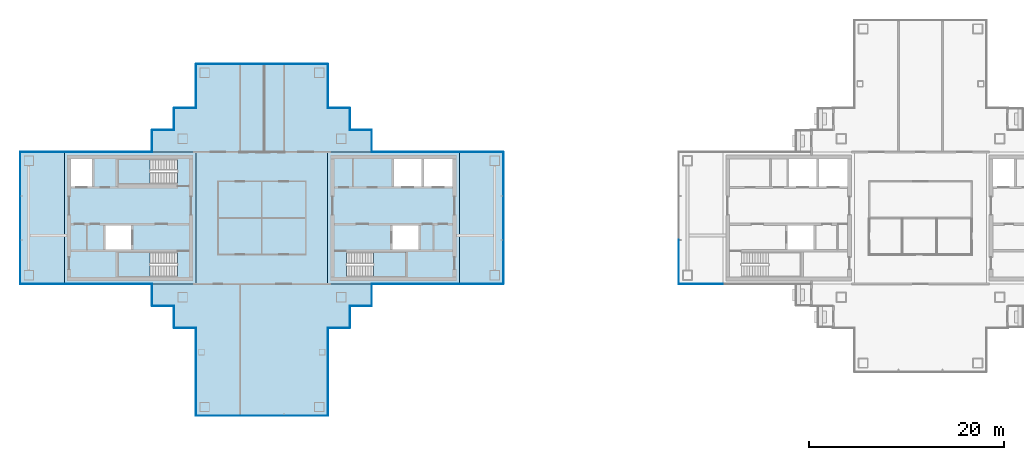
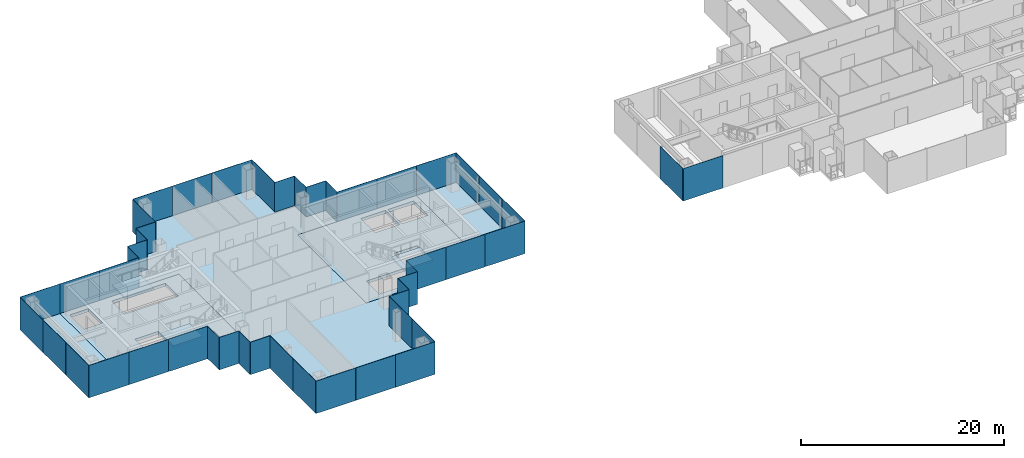
# One storey, part 7 of 16: 48 plates, 8 slabs, 25 elements without a shape of their own.
"""IFC4 building model written with IfcOpenShell, lengths in metres."""

import ifcopenshell
import ifcopenshell.guid

model = None  # the IFC model being written
_history = None  # IfcOwnerHistory: only IFC2X3 demands one
_inside = {}  # id of a spatial element -> (the spatial element, [elements in it])
_under = {}  # id of a project, library or spatial element -> (it, [spatial elements below it])
_declared = {}  # id of a project -> (the project, [libraries it declares])
_typed = {}  # id of a type object -> (the type object, [elements of that type])
_made_of = {}  # id of a material, layer set ... -> (it, [elements and type objects made of it])


def new_model(schema):
    """Start an empty IFC model of exactly this schema.

    Asked for "IFC4X3", IfcOpenShell would pick the latest addendum, in which some entities
    have other attributes; the version numbers below select the first issue.
    IFC2X3 requires an IfcOwnerHistory on every rooted entity: one is made here for all.
    """
    global model, _history
    if schema == "IFC4X3":
        model = ifcopenshell.file(schema_version=(4, 3, 0, 0))
    else:
        model = ifcopenshell.file(schema=schema)
    _inside.clear()
    _under.clear()
    _declared.clear()
    _typed.clear()
    _made_of.clear()
    _history = None
    if model.schema == "IFC2X3":
        org = make("IfcOrganization", Name="unknown")
        user = make(
            "IfcPersonAndOrganization",
            ThePerson=make("IfcPerson", FamilyName="unknown"),
            TheOrganization=org,
        )
        app = make(
            "IfcApplication",
            ApplicationDeveloper=org,
            Version="unknown",
            ApplicationFullName="unknown",
            ApplicationIdentifier="unknown",
        )
        _history = make(
            "IfcOwnerHistory",
            OwningUser=user,
            OwningApplication=app,
            ChangeAction="ADDED",
            CreationDate=0,
        )
    return model


def make(cls, **values):
    """One entity of the class cls with the attributes given. An attribute that is None is left unset."""
    return model.create_entity(
        cls, **{name: value for name, value in values.items() if value is not None}
    )


def rooted(cls, **values):
    """An entity with a GlobalId (a new one), such as an element, a storey or a relation."""
    return make(cls, GlobalId=ifcopenshell.guid.new(), OwnerHistory=_history, **values)


def si_unit(unit_type, name, prefix=None):
    """IfcSIUnit, for example si_unit("LENGTHUNIT", "METRE", prefix="MILLI")."""
    return make("IfcSIUnit", UnitType=unit_type, Prefix=prefix, Name=name)


def assignment(units):
    """IfcUnitAssignment: the units of a project."""
    return None if units is None else make("IfcUnitAssignment", Units=units)


def point(xyz):
    """IfcCartesianPoint."""
    return None if xyz is None else make("IfcCartesianPoint", Coordinates=xyz)


def direction(xyz):
    """IfcDirection."""
    return None if xyz is None else make("IfcDirection", DirectionRatios=xyz)


def frame(location, z_axis=None, x_axis=None):
    """IfcAxis2Placement3D, a coordinate frame: its origin and axes. An axis left out is left unset."""
    return make(
        "IfcAxis2Placement3D",
        Location=point(location),
        Axis=direction(z_axis),
        RefDirection=direction(x_axis),
    )


def frame_2d(location, x_axis=None):
    """IfcAxis2Placement2D, a coordinate frame in the plane: its origin and x axis."""
    return make(
        "IfcAxis2Placement2D", Location=point(location), RefDirection=direction(x_axis)
    )


def origin():
    """The frame at (0, 0, 0) with its axes left unset."""
    return frame((0.0, 0.0, 0.0))


def origin_2d():
    """The frame at (0, 0) in the plane with its x axis left unset."""
    return frame_2d((0.0, 0.0))


def place(relative_to, where):
    """IfcLocalPlacement: puts the frame where relative to a parent placement (None: the world)."""
    return make(
        "IfcLocalPlacement", PlacementRelTo=relative_to, RelativePlacement=where
    )


def context(
    kind, dimensions, precision=None, world=None, true_north=None, identifier=None
):
    """IfcGeometricRepresentationContext, for example the 3D "Model" context."""
    return make(
        "IfcGeometricRepresentationContext",
        ContextIdentifier=identifier,
        ContextType=kind,
        CoordinateSpaceDimension=dimensions,
        Precision=precision,
        WorldCoordinateSystem=world,
        TrueNorth=true_north,
    )


def subcontext(parent, identifier, kind, view, scale=None):
    """IfcGeometricRepresentationSubContext, for example "Body" below "Model"."""
    return make(
        "IfcGeometricRepresentationSubContext",
        ContextIdentifier=identifier,
        ContextType=kind,
        ParentContext=parent,
        TargetScale=scale,
        TargetView=view,
    )


def project(units=None, contexts=None):
    """IfcProject with its units and contexts."""
    return rooted(
        "IfcProject",
        Name="project",
        RepresentationContexts=contexts,
        UnitsInContext=assignment(units),
    )


def spatial(cls, under=None, at=None, **own):
    """A site, building, storey or space (cls), placed at a placement, below another one or the project."""
    s = rooted(cls, ObjectPlacement=at, **own)
    if under is not None:
        _under.setdefault(under.id(), (under, []))[1].append(s)
    return s


def polyline(points):
    """IfcPolyline through the points."""
    return make("IfcPolyline", Points=[point(p) for p in points])


def profile(cls, at=None, kind="AREA", **sizes):
    """A parametric profile (cls). Its sizes go by their IFC names, for example OverallWidth=200.0."""
    return make(cls, ProfileType=kind, Position=at, **sizes)


def rectangle(**sizes):
    """IfcRectangleProfileDef."""
    return profile("IfcRectangleProfileDef", **sizes)


def outline(outer, holes=None, kind="AREA"):
    """IfcArbitraryClosedProfileDef: a profile drawn as a closed curve; with holes, ...WithVoids."""
    if holes is None:
        return make("IfcArbitraryClosedProfileDef", ProfileType=kind, OuterCurve=outer)
    return make(
        "IfcArbitraryProfileDefWithVoids",
        ProfileType=kind,
        OuterCurve=outer,
        InnerCurves=holes,
    )


def extrude(swept, where, along, depth):
    """IfcExtrudedAreaSolid: the profile swept, set in the frame where, extruded along a direction by depth."""
    return make(
        "IfcExtrudedAreaSolid",
        SweptArea=swept,
        Position=where,
        ExtrudedDirection=direction(along),
        Depth=depth,
    )


def shape(context_of_items, identifier, shape_type, items):
    """IfcShapeRepresentation: the items that make up one representation, for example the "Body"."""
    return make(
        "IfcShapeRepresentation",
        ContextOfItems=context_of_items,
        RepresentationIdentifier=identifier,
        RepresentationType=shape_type,
        Items=items,
    )


def material(Name=None, Category=None):
    """IfcMaterial."""
    return make("IfcMaterial", Name=Name, Category=Category)


def layer(
    of_material, thickness, ventilated=None, Name=None, Category=None, Priority=None
):
    """IfcMaterialLayer: one layer of a wall or slab, of a material (None: an air gap)."""
    return make(
        "IfcMaterialLayer",
        Material=of_material,
        LayerThickness=thickness,
        IsVentilated=ventilated,
        Name=Name,
        Category=Category,
        Priority=Priority,
    )


def layer_set(layers, Name=None):
    """IfcMaterialLayerSet."""
    return make("IfcMaterialLayerSet", MaterialLayers=layers, LayerSetName=Name)


def made_of(thing, what):
    """Note that an element or type object is made of a material, layer set ...; save() writes the relation."""
    if what is not None:
        _made_of.setdefault(what.id(), (what, []))[1].append(thing)
    return thing


def type_object(cls, material=None, **own):
    """A type object (cls), such as IfcWallType, which elements share."""
    return made_of(rooted(cls, **own), material)


def element(
    cls,
    number,
    at=None,
    inside=None,
    cuts=None,
    type_object=None,
    material=None,
    context=None,
    identifier="Body",
    shape_type=None,
    held_by="IfcProductDefinitionShape",
    body=None,
    shapes=None,
    **own,
):
    """One element of the class cls, such as IfcWall. Its Tag is "e" and its number.

    at: its placement. inside: the storey or other place that contains it. cuts: it is an
    opening in that element (IfcRelVoidsElement). A single representation is given by context,
    identifier, shape_type and body (its items); several are given by shapes. held_by: the class
    of the entity that holds the representations. save() writes the other relations.
    """
    e = rooted(cls, Tag="e%d" % number, ObjectPlacement=at, **own)
    if body is not None:
        shapes = [shape(context, identifier, shape_type, body)]
    if shapes is not None:
        e.Representation = make(held_by, Representations=shapes)
    if inside is not None:
        _inside.setdefault(inside.id(), (inside, []))[1].append(e)
    if cuts is not None:
        rooted(
            "IfcRelVoidsElement", RelatingBuildingElement=cuts, RelatedOpeningElement=e
        )
    if type_object is not None:
        _typed.setdefault(type_object.id(), (type_object, []))[1].append(e)
    return made_of(e, material)


def aggregate(whole, parts):
    """IfcRelAggregates: a whole, such as a stair, and the parts it consists of."""
    return rooted("IfcRelAggregates", RelatingObject=whole, RelatedObjects=parts)


def save(model, path):
    """Write the relations noted so far, then the file.

    IfcRelAggregates (storeys below a building ...), IfcRelContainedInSpatialStructure (elements
    in a storey), IfcRelDefinesByType, IfcRelAssociatesMaterial and IfcRelDeclares: one each for
    every whole, place, type object, material and project.
    """
    for whole, parts in _under.values():
        aggregate(whole, parts)
    for where, things in _inside.values():
        rooted(
            "IfcRelContainedInSpatialStructure",
            RelatedElements=things,
            RelatingStructure=where,
        )
    for kind, things in _typed.values():
        rooted("IfcRelDefinesByType", RelatedObjects=things, RelatingType=kind)
    for what, things in _made_of.values():
        rooted("IfcRelAssociatesMaterial", RelatedObjects=things, RelatingMaterial=what)
    for by, libraries in _declared.values():
        rooted("IfcRelDeclares", RelatingContext=by, RelatedDefinitions=libraries)
    model.write(path)


model = new_model("IFC4")

# Units and contexts
model_context = context("Model", 3, precision=1e-05, world=origin(), true_north=direction((0.0, 1.0)))
body_context = subcontext(model_context, "Body", "Model", "MODEL_VIEW")
ifc_project = project(units=[si_unit("LENGTHUNIT", "METRE"), si_unit("AREAUNIT", "SQUARE_METRE"), si_unit("VOLUMEUNIT", "CUBIC_METRE"), si_unit("PLANEANGLEUNIT", "RADIAN"), si_unit("MASSUNIT", "GRAM", prefix="KILO")], contexts=[model_context])

# Site, building, storey
site_placement = place(None, origin())
site = spatial("IfcSite", under=ifc_project, at=site_placement, CompositionType="ELEMENT")
building_placement = place(site_placement, origin())
building = spatial("IfcBuilding", under=site, at=building_placement, Name="Shamsa Quay Exchange Towers", CompositionType="ELEMENT")
storey_placement = place(building_placement, frame((0.0, 0.0, 190.5)))
storey = spatial("IfcBuildingStorey", under=building, at=storey_placement, Name="L45", CompositionType="ELEMENT", Elevation=190.5)

# Slabs
ifc_material_1 = material(Name="Concrete C50/60", Category="concrete")
ifc_layer_1 = layer(ifc_material_1, 0.35009765625)
ifc_layer_set_1 = layer_set([ifc_layer_1], Name="CORE FLOOR 350 C50/60")
slab_type_1 = type_object("IfcSlabType", Name="CORE FLOOR 350 C50/60", PredefinedType="FLOOR", material=ifc_layer_set_1)
slab_1_placement = place(storey_placement, frame((0.0, 0.0, -0.35009765625)))
element("IfcSlab", 1, at=slab_1_placement, inside=storey, type_object=slab_type_1, Name="Core floor T1A", PredefinedType="FLOOR", context=body_context, shape_type="SweptSolid", body=[
    extrude(outline(polyline([(-27.0, -6.75), (-13.5, -6.75), (-13.5, 6.75), (-27.0, 6.75), (-27.0, -6.75)]), holes=[polyline([(-25.099365234375, -6.050048828125), (-25.099365234375, -3.5), (-19.0, -3.5), (-19.0, -6.050048828125), (-25.099365234375, -6.050048828125)]), polyline([(-20.199951171875, 3.25), (-20.199951171875, 6.050048828125), (-17.39990234375, 6.050048828125), (-17.39990234375, 3.25), (-20.199951171875, 3.25)]), polyline([(-17.14990234375, 3.25), (-17.14990234375, 6.050048828125), (-14.199951171875, 6.050048828125), (-14.199951171875, 3.25), (-17.14990234375, 3.25)]), polyline([(-20.35009765625, -3.25), (-20.35009765625, -0.75), (-17.699951171875, -0.75), (-17.699951171875, -3.25), (-20.35009765625, -3.25)])]), origin(), (0.0, 0.0, 1.0), 0.35009765625),
])
slab_2_placement = place(storey_placement, frame((0.0, 0.0, -0.35009765625)))
element("IfcSlab", 2, at=slab_2_placement, inside=storey, type_object=slab_type_1, Name="Core floor T1B", PredefinedType="FLOOR", context=body_context, shape_type="SweptSolid", body=[
    extrude(outline(polyline([(-40.5, -6.75), (-40.5, 6.75), (-54.0, 6.75), (-54.0, -6.75), (-40.5, -6.75)]), holes=[polyline([(-42.400634765625, -3.5), (-42.400634765625, -6.050048828125), (-48.5, -6.050048828125), (-48.5, -3.5), (-42.400634765625, -3.5)]), polyline([(-42.400634765625, 6.050048828125), (-42.400634765625, 3.5), (-48.5, 3.5), (-48.5, 6.050048828125), (-42.400634765625, 6.050048828125)]), polyline([(-51.14990234375, 3.25), (-53.300048828125, 3.25), (-53.300048828125, 6.050048828125), (-51.14990234375, 6.050048828125), (-51.14990234375, 3.25)]), polyline([(-47.14990234375, -3.25), (-49.800048828125, -3.25), (-49.800048828125, -0.75), (-47.14990234375, -0.75), (-47.14990234375, -3.25)])]), origin(), (0.0, 0.0, 1.0), 0.35009765625),
])

# Stair, slab
ifc_material_2 = material(Name="Concrete C40/50", Category="concrete")
stair_type = type_object("IfcStairType", Name="EXIT STAIR 22 RISERS 177 MM", PredefinedType="HALF_TURN_STAIR", material=ifc_material_2)
stair_1_placement = place(storey_placement, origin())
stair_1 = element("IfcStair", 3, at=stair_1_placement, inside=storey, type_object=stair_type, Name="L45 Exit stair ST1", PredefinedType="HALF_TURN_STAIR")
ifc_layer_2 = layer(ifc_material_2, 0.199951171875)
ifc_layer_set_2 = layer_set([ifc_layer_2], Name="CORE STAIR LANDING")
slab_type_2 = type_object("IfcSlabType", Name="CORE STAIR LANDING", PredefinedType="LANDING", material=ifc_layer_set_2)
slab_3_placement = place(storey_placement, frame((0.0, 0.0, 1.75)))
slab_3 = element("IfcSlab", 4, at=slab_3_placement, type_object=slab_type_2, Name="ST1 landing 1", PredefinedType="LANDING", context=body_context, shape_type="SweptSolid", body=[
    extrude(outline(polyline([(-22.300048828125, -6.050048828125), (-19.0, -6.050048828125), (-19.0, -3.5), (-22.300048828125, -3.5), (-22.300048828125, -6.050048828125)])), origin(), (0.0, 0.0, 1.0), 0.199951171875),
])
aggregate(stair_1, [slab_3])

stair_2_placement = place(storey_placement, origin())
stair_2 = element("IfcStair", 5, at=stair_2_placement, inside=storey, type_object=stair_type, Name="L45 Exit stair ST2", PredefinedType="HALF_TURN_STAIR")
slab_4_placement = place(storey_placement, frame((0.0, 0.0, 1.75)))
slab_4 = element("IfcSlab", 6, at=slab_4_placement, type_object=slab_type_2, Name="ST2 landing 1", PredefinedType="LANDING", context=body_context, shape_type="SweptSolid", body=[
    extrude(outline(polyline([(-45.199951171875, -3.5), (-48.5, -3.5), (-48.5, -6.050048828125), (-45.199951171875, -6.050048828125), (-45.199951171875, -3.5)])), origin(), (0.0, 0.0, 1.0), 0.199951171875),
])
aggregate(stair_2, [slab_4])

stair_3_placement = place(storey_placement, origin())
stair_3 = element("IfcStair", 7, at=stair_3_placement, inside=storey, type_object=stair_type, Name="L45 Exit stair ST3", PredefinedType="HALF_TURN_STAIR")
slab_5_placement = place(storey_placement, frame((0.0, 0.0, 1.75)))
slab_5 = element("IfcSlab", 8, at=slab_5_placement, type_object=slab_type_2, Name="ST3 landing 1", PredefinedType="LANDING", context=body_context, shape_type="SweptSolid", body=[
    extrude(outline(polyline([(-45.199951171875, 6.050048828125), (-48.5, 6.050048828125), (-48.5, 3.5), (-45.199951171875, 3.5), (-45.199951171875, 6.050048828125)])), origin(), (0.0, 0.0, 1.0), 0.199951171875),
])
aggregate(stair_3, [slab_5])

# Curtain wall, plates
ifc_material_3 = material(Name="Aluminium EN AW-6063 T6, black anodised", Category="aluminium")
ifc_layer_3 = layer(ifc_material_3, 0.280029296875)
ifc_layer_set_3 = layer_set([ifc_layer_3], Name="CW-1 UNITISED VISION GLASS")
curtain_wall_type_1 = type_object("IfcCurtainWallType", Name="CW-1 UNITISED VISION GLASS", PredefinedType="NOTDEFINED", material=ifc_layer_set_3)
curtain_wall_1_placement = place(storey_placement, origin())
curtain_wall_1 = element("IfcCurtainWall", 9, at=curtain_wall_1_placement, inside=storey, type_object=curtain_wall_type_1, Name="CW1 T1-FLK-V-W L45", PredefinedType="NOTDEFINED")
ifc_material_4 = material(Name="Glass, laminated, dark tinted", Category="glass")
ifc_layer_4 = layer(ifc_material_4, 0.0400390625)
ifc_layer_set_4 = layer_set([ifc_layer_4], Name="CW-1 VISION GLASS 40")
plate_type_1 = type_object("IfcPlateType", Name="CW-1 VISION GLASS 40", PredefinedType="CURTAIN_PANEL", material=ifc_layer_set_4)
plate_1_placement = place(storey_placement, frame((-40.52001953125, -13.52587890625, -0.349853515625), z_axis=(0.0, 0.0, 1.0), x_axis=(0.0, -1.0, 0.0)))
plate_1 = element("IfcPlate", 10, at=plate_1_placement, type_object=plate_type_1, Name="CW1 glass panel", PredefinedType="CURTAIN_PANEL", context=body_context, shape_type="SweptSolid", body=[
    extrude(rectangle(XDim=4.47607421875, YDim=0.0400390625, at=origin_2d()), origin(), (0.0, 0.0, 1.0), 3.89990234375),
])
plate_2_placement = place(storey_placement, frame((-40.52001953125, -18.011962890625, -0.349853515625), z_axis=(0.0, 0.0, 1.0), x_axis=(0.0, -1.0, 0.0)))
plate_2 = element("IfcPlate", 11, at=plate_2_placement, type_object=plate_type_1, Name="CW1 glass panel", PredefinedType="CURTAIN_PANEL", context=body_context, shape_type="SweptSolid", body=[
    extrude(rectangle(XDim=4.47607421875, YDim=0.0400390625, at=origin_2d()), origin(), (0.0, 0.0, 1.0), 3.89990234375),
])
aggregate(curtain_wall_1, [plate_1, plate_2])

curtain_wall_2_placement = place(storey_placement, origin())
curtain_wall_2 = element("IfcCurtainWall", 12, at=curtain_wall_2_placement, inside=storey, type_object=curtain_wall_type_1, Name="CW1 T1-END-V- L45", PredefinedType="NOTDEFINED")
plate_3_placement = place(storey_placement, frame((-38.25244140625, -20.27001953125, -0.349853515625)))
plate_3 = element("IfcPlate", 13, at=plate_3_placement, type_object=plate_type_1, Name="CW1 glass panel", PredefinedType="CURTAIN_PANEL", context=body_context, shape_type="SweptSolid", body=[
    extrude(rectangle(XDim=4.4951171875, YDim=0.0400390625, at=origin_2d()), origin(), (0.0, 0.0, 1.0), 3.89990234375),
])
plate_4_placement = place(storey_placement, frame((-33.75, -20.27001953125, -0.349853515625)))
plate_4 = element("IfcPlate", 14, at=plate_4_placement, type_object=plate_type_1, Name="CW1 glass panel", PredefinedType="CURTAIN_PANEL", context=body_context, shape_type="SweptSolid", body=[
    extrude(rectangle(XDim=4.489990234375, YDim=0.0400390625, at=origin_2d()), origin(), (0.0, 0.0, 1.0), 3.89990234375),
])
plate_5_placement = place(storey_placement, frame((-29.24755859375, -20.27001953125, -0.349853515625)))
plate_5 = element("IfcPlate", 15, at=plate_5_placement, type_object=plate_type_1, Name="CW1 glass panel", PredefinedType="CURTAIN_PANEL", context=body_context, shape_type="SweptSolid", body=[
    extrude(rectangle(XDim=4.4951171875, YDim=0.0400390625, at=origin_2d()), origin(), (0.0, 0.0, 1.0), 3.89990234375),
])
aggregate(curtain_wall_2, [plate_3, plate_4, plate_5])

curtain_wall_3_placement = place(storey_placement, origin())
curtain_wall_3 = element("IfcCurtainWall", 16, at=curtain_wall_3_placement, inside=storey, type_object=curtain_wall_type_1, Name="CW1 T1-FLK-V-E L45", PredefinedType="NOTDEFINED")
plate_6_placement = place(storey_placement, frame((-26.97998046875, -18.00244140625, -0.349853515625), z_axis=(0.0, 0.0, 1.0), x_axis=(0.0, 1.0, 0.0)))
plate_6 = element("IfcPlate", 17, at=plate_6_placement, type_object=plate_type_1, Name="CW1 glass panel", PredefinedType="CURTAIN_PANEL", context=body_context, shape_type="SweptSolid", body=[
    extrude(rectangle(XDim=4.4951171875, YDim=0.0400390625, at=origin_2d()), origin(), (0.0, 0.0, 1.0), 3.89990234375),
])
plate_7_placement = place(storey_placement, frame((-26.97998046875, -13.49755859375, -0.349853515625), z_axis=(0.0, 0.0, 1.0), x_axis=(0.0, 1.0, 0.0)))
plate_7 = element("IfcPlate", 18, at=plate_7_placement, type_object=plate_type_1, Name="CW1 glass panel", PredefinedType="CURTAIN_PANEL", context=body_context, shape_type="SweptSolid", body=[
    extrude(rectangle(XDim=4.4951171875, YDim=0.0400390625, at=origin_2d()), origin(), (0.0, 0.0, 1.0), 3.89990234375),
])
aggregate(curtain_wall_3, [plate_6, plate_7])

# Curtain wall, plate
curtain_wall_4_placement = place(storey_placement, origin())
curtain_wall_4 = element("IfcCurtainWall", 19, at=curtain_wall_4_placement, inside=storey, type_object=curtain_wall_type_1, Name="CW1 T1-FLK-U+S L45", PredefinedType="NOTDEFINED")
plate_8_placement = place(storey_placement, frame((-11.25, -6.77001953125, -0.349853515625)))
plate_8 = element("IfcPlate", 20, at=plate_8_placement, type_object=plate_type_1, Name="CW1 glass panel", PredefinedType="CURTAIN_PANEL", context=body_context, shape_type="SweptSolid", body=[
    extrude(rectangle(XDim=4.5, YDim=0.0400390625, at=origin_2d()), origin(), (0.0, 0.0, 1.0), 3.89990234375),
])
aggregate(curtain_wall_4, [plate_8])

# Curtain wall, plates
curtain_wall_5_placement = place(storey_placement, origin())
curtain_wall_5 = element("IfcCurtainWall", 21, at=curtain_wall_5_placement, inside=storey, type_object=curtain_wall_type_1, Name="CW1 T1-END-U+ L45", PredefinedType="NOTDEFINED")
plate_9_placement = place(storey_placement, frame((-8.97998046875, -4.50244140625, -0.349853515625), z_axis=(0.0, 0.0, 1.0), x_axis=(0.0, 1.0, 0.0)))
plate_9 = element("IfcPlate", 22, at=plate_9_placement, type_object=plate_type_1, Name="CW1 glass panel", PredefinedType="CURTAIN_PANEL", context=body_context, shape_type="SweptSolid", body=[
    extrude(rectangle(XDim=4.4951171875, YDim=0.0400390625, at=origin_2d()), origin(), (0.0, 0.0, 1.0), 3.89990234375),
])
plate_10_placement = place(storey_placement, frame((-8.97998046875, 0.0, -0.349853515625), z_axis=(0.0, 0.0, 1.0), x_axis=(0.0, 1.0, 0.0)))
plate_10 = element("IfcPlate", 23, at=plate_10_placement, type_object=plate_type_1, Name="CW1 glass panel", PredefinedType="CURTAIN_PANEL", context=body_context, shape_type="SweptSolid", body=[
    extrude(rectangle(XDim=4.489990234375, YDim=0.0400390625, at=origin_2d()), origin(), (0.0, 0.0, 1.0), 3.89990234375),
])
plate_11_placement = place(storey_placement, frame((-8.97998046875, 4.50244140625, -0.349853515625), z_axis=(0.0, 0.0, 1.0), x_axis=(0.0, 1.0, 0.0)))
plate_11 = element("IfcPlate", 24, at=plate_11_placement, type_object=plate_type_1, Name="CW1 glass panel", PredefinedType="CURTAIN_PANEL", context=body_context, shape_type="SweptSolid", body=[
    extrude(rectangle(XDim=4.4951171875, YDim=0.0400390625, at=origin_2d()), origin(), (0.0, 0.0, 1.0), 3.89990234375),
])
aggregate(curtain_wall_5, [plate_9, plate_10, plate_11])

# Curtain wall, plate
curtain_wall_6_placement = place(storey_placement, origin())
curtain_wall_6 = element("IfcCurtainWall", 25, at=curtain_wall_6_placement, inside=storey, type_object=curtain_wall_type_1, Name="CW1 T1-FLK-U+N L45", PredefinedType="NOTDEFINED")
plate_12_placement = place(storey_placement, frame((-11.25, 6.77001953125, -0.349853515625), z_axis=(0.0, 0.0, 1.0), x_axis=(-1.0, 0.0, 0.0)))
plate_12 = element("IfcPlate", 26, at=plate_12_placement, type_object=plate_type_1, Name="CW1 glass panel", PredefinedType="CURTAIN_PANEL", context=body_context, shape_type="SweptSolid", body=[
    extrude(rectangle(XDim=4.5, YDim=0.0400390625, at=origin_2d()), origin(), (0.0, 0.0, 1.0), 3.89990234375),
])
aggregate(curtain_wall_6, [plate_12])

curtain_wall_7_placement = place(storey_placement, origin())
curtain_wall_7 = element("IfcCurtainWall", 27, at=curtain_wall_7_placement, inside=storey, type_object=curtain_wall_type_1, Name="CW1 T1-FLK-V+E L45", PredefinedType="NOTDEFINED")
plate_13_placement = place(storey_placement, frame((-26.97998046875, 13.51904296875, -0.349853515625), z_axis=(0.0, 0.0, 1.0), x_axis=(0.0, 1.0, 0.0)))
plate_13 = element("IfcPlate", 28, at=plate_13_placement, type_object=plate_type_1, Name="CW1 glass panel", PredefinedType="CURTAIN_PANEL", context=body_context, shape_type="SweptSolid", body=[
    extrude(rectangle(XDim=4.4619140625, YDim=0.0400390625, at=origin_2d()), origin(), (0.0, 0.0, 1.0), 3.89990234375),
])
aggregate(curtain_wall_7, [plate_13])

# Curtain wall, plates
curtain_wall_8_placement = place(storey_placement, origin())
curtain_wall_8 = element("IfcCurtainWall", 29, at=curtain_wall_8_placement, inside=storey, type_object=curtain_wall_type_1, Name="CW1 T1-END-V+ L45", PredefinedType="NOTDEFINED")
plate_14_placement = place(storey_placement, frame((-29.24755859375, 15.77001953125, -0.349853515625), z_axis=(0.0, 0.0, 1.0), x_axis=(-1.0, 0.0, 0.0)))
plate_14 = element("IfcPlate", 30, at=plate_14_placement, type_object=plate_type_1, Name="CW1 glass panel", PredefinedType="CURTAIN_PANEL", context=body_context, shape_type="SweptSolid", body=[
    extrude(rectangle(XDim=4.4951171875, YDim=0.0400390625, at=origin_2d()), origin(), (0.0, 0.0, 1.0), 3.89990234375),
])
plate_15_placement = place(storey_placement, frame((-33.75, 15.77001953125, -0.349853515625), z_axis=(0.0, 0.0, 1.0), x_axis=(-1.0, 0.0, 0.0)))
plate_15 = element("IfcPlate", 31, at=plate_15_placement, type_object=plate_type_1, Name="CW1 glass panel", PredefinedType="CURTAIN_PANEL", context=body_context, shape_type="SweptSolid", body=[
    extrude(rectangle(XDim=4.489990234375, YDim=0.0400390625, at=origin_2d()), origin(), (0.0, 0.0, 1.0), 3.89990234375),
])
plate_16_placement = place(storey_placement, frame((-38.25244140625, 15.77001953125, -0.349853515625), z_axis=(0.0, 0.0, 1.0), x_axis=(-1.0, 0.0, 0.0)))
plate_16 = element("IfcPlate", 32, at=plate_16_placement, type_object=plate_type_1, Name="CW1 glass panel", PredefinedType="CURTAIN_PANEL", context=body_context, shape_type="SweptSolid", body=[
    extrude(rectangle(XDim=4.4951171875, YDim=0.0400390625, at=origin_2d()), origin(), (0.0, 0.0, 1.0), 3.89990234375),
])
aggregate(curtain_wall_8, [plate_14, plate_15, plate_16])

# Curtain wall, plate
curtain_wall_9_placement = place(storey_placement, origin())
curtain_wall_9 = element("IfcCurtainWall", 33, at=curtain_wall_9_placement, inside=storey, type_object=curtain_wall_type_1, Name="CW1 T1-FLK-V+W L45", PredefinedType="NOTDEFINED")
plate_17_placement = place(storey_placement, frame((-40.52001953125, 13.5, -0.349853515625), z_axis=(0.0, 0.0, 1.0), x_axis=(0.0, -1.0, 0.0)))
plate_17 = element("IfcPlate", 34, at=plate_17_placement, type_object=plate_type_1, Name="CW1 glass panel", PredefinedType="CURTAIN_PANEL", context=body_context, shape_type="SweptSolid", body=[
    extrude(rectangle(XDim=4.5, YDim=0.0400390625, at=origin_2d()), origin(), (0.0, 0.0, 1.0), 3.89990234375),
])
aggregate(curtain_wall_9, [plate_17])

curtain_wall_10_placement = place(storey_placement, origin())
curtain_wall_10 = element("IfcCurtainWall", 35, at=curtain_wall_10_placement, inside=storey, type_object=curtain_wall_type_1, Name="CW1 T1-FLK-U-N L45", PredefinedType="NOTDEFINED")
plate_18_placement = place(storey_placement, frame((-56.25, 6.77001953125, -0.349853515625), z_axis=(0.0, 0.0, 1.0), x_axis=(-1.0, 0.0, 0.0)))
plate_18 = element("IfcPlate", 36, at=plate_18_placement, type_object=plate_type_1, Name="CW1 glass panel", PredefinedType="CURTAIN_PANEL", context=body_context, shape_type="SweptSolid", body=[
    extrude(rectangle(XDim=4.5, YDim=0.0400390625, at=origin_2d()), origin(), (0.0, 0.0, 1.0), 3.89990234375),
])
aggregate(curtain_wall_10, [plate_18])

# Curtain wall, plates
curtain_wall_11_placement = place(storey_placement, origin())
curtain_wall_11 = element("IfcCurtainWall", 37, at=curtain_wall_11_placement, inside=storey, type_object=curtain_wall_type_1, Name="CW1 T1-END-U- L45", PredefinedType="NOTDEFINED")
plate_19_placement = place(storey_placement, frame((-58.52001953125, 4.50244140625, -0.349853515625), z_axis=(0.0, 0.0, 1.0), x_axis=(0.0, -1.0, 0.0)))
plate_19 = element("IfcPlate", 38, at=plate_19_placement, type_object=plate_type_1, Name="CW1 glass panel", PredefinedType="CURTAIN_PANEL", context=body_context, shape_type="SweptSolid", body=[
    extrude(rectangle(XDim=4.4951171875, YDim=0.0400390625, at=origin_2d()), origin(), (0.0, 0.0, 1.0), 3.89990234375),
])
plate_20_placement = place(storey_placement, frame((-58.52001953125, 0.0, -0.349853515625), z_axis=(0.0, 0.0, 1.0), x_axis=(0.0, -1.0, 0.0)))
plate_20 = element("IfcPlate", 39, at=plate_20_placement, type_object=plate_type_1, Name="CW1 glass panel", PredefinedType="CURTAIN_PANEL", context=body_context, shape_type="SweptSolid", body=[
    extrude(rectangle(XDim=4.489990234375, YDim=0.0400390625, at=origin_2d()), origin(), (0.0, 0.0, 1.0), 3.89990234375),
])
plate_21_placement = place(storey_placement, frame((-58.52001953125, -4.50244140625, -0.349853515625), z_axis=(0.0, 0.0, 1.0), x_axis=(0.0, -1.0, 0.0)))
plate_21 = element("IfcPlate", 40, at=plate_21_placement, type_object=plate_type_1, Name="CW1 glass panel", PredefinedType="CURTAIN_PANEL", context=body_context, shape_type="SweptSolid", body=[
    extrude(rectangle(XDim=4.4951171875, YDim=0.0400390625, at=origin_2d()), origin(), (0.0, 0.0, 1.0), 3.89990234375),
])
aggregate(curtain_wall_11, [plate_19, plate_20, plate_21])

# Curtain wall, plate
curtain_wall_12_placement = place(storey_placement, origin())
curtain_wall_12 = element("IfcCurtainWall", 41, at=curtain_wall_12_placement, inside=storey, type_object=curtain_wall_type_1, Name="CW1 T1-FLK-U-S L45", PredefinedType="NOTDEFINED")
plate_22_placement = place(storey_placement, frame((-56.25, -6.77001953125, -0.349853515625)))
plate_22 = element("IfcPlate", 42, at=plate_22_placement, type_object=plate_type_1, Name="CW1 glass panel", PredefinedType="CURTAIN_PANEL", context=body_context, shape_type="SweptSolid", body=[
    extrude(rectangle(XDim=4.5, YDim=0.0400390625, at=origin_2d()), origin(), (0.0, 0.0, 1.0), 3.89990234375),
])
aggregate(curtain_wall_12, [plate_22])

curtain_wall_13_placement = place(storey_placement, origin())
curtain_wall_13 = element("IfcCurtainWall", 43, at=curtain_wall_13_placement, inside=storey, type_object=curtain_wall_type_1, Name="CW1 T2-END-V+ L45", PredefinedType="NOTDEFINED")
plate_23_placement = place(storey_placement, frame((8.97998046875, -4.50244140625, -0.349853515625), z_axis=(0.0, 0.0, 1.0), x_axis=(0.0, -1.0, 0.0)))
plate_23 = element("IfcPlate", 44, at=plate_23_placement, type_object=plate_type_1, Name="CW1 glass panel", PredefinedType="CURTAIN_PANEL", context=body_context, shape_type="SweptSolid", body=[
    extrude(rectangle(XDim=4.4951171875, YDim=0.0400390625, at=origin_2d()), origin(), (0.0, 0.0, 1.0), 3.89990234375),
])
aggregate(curtain_wall_13, [plate_23])

curtain_wall_14_placement = place(storey_placement, origin())
curtain_wall_14 = element("IfcCurtainWall", 45, at=curtain_wall_14_placement, inside=storey, type_object=curtain_wall_type_1, Name="CW1 T2-FLK-V+W L45", PredefinedType="NOTDEFINED")
plate_24_placement = place(storey_placement, frame((11.25, -6.77001953125, -0.349853515625)))
plate_24 = element("IfcPlate", 46, at=plate_24_placement, type_object=plate_type_1, Name="CW1 glass panel", PredefinedType="CURTAIN_PANEL", context=body_context, shape_type="SweptSolid", body=[
    extrude(rectangle(XDim=4.5, YDim=0.0400390625, at=origin_2d()), origin(), (0.0, 0.0, 1.0), 3.89990234375),
])
aggregate(curtain_wall_14, [plate_24])

# Curtain wall, plates
ifc_layer_5 = layer(ifc_material_3, 0.303955078125)
ifc_layer_set_5 = layer_set([ifc_layer_5], Name="CW-2 UNITISED OPAQUE SPANDREL GLASS")
curtain_wall_type_2 = type_object("IfcCurtainWallType", Name="CW-2 UNITISED OPAQUE SPANDREL GLASS", PredefinedType="NOTDEFINED", material=ifc_layer_set_5)
curtain_wall_15_placement = place(storey_placement, origin())
curtain_wall_15 = element("IfcCurtainWall", 47, at=curtain_wall_15_placement, inside=storey, type_object=curtain_wall_type_2, Name="CW2 T1-FLK-U+S L45", PredefinedType="NOTDEFINED")
ifc_material_5 = material(Name="Glass, laminated, black enamelled opaque", Category="glass")
ifc_layer_6 = layer(ifc_material_5, 0.0439453125)
ifc_layer_set_6 = layer_set([ifc_layer_6], Name="CW-2 SPANDREL GLASS 44")
plate_type_2 = type_object("IfcPlateType", Name="CW-2 SPANDREL GLASS 44", PredefinedType="CURTAIN_PANEL", material=ifc_layer_set_6)
plate_25_placement = place(storey_placement, frame((-20.22412109375, -6.77197265625, -0.349853515625)))
plate_25 = element("IfcPlate", 48, at=plate_25_placement, type_object=plate_type_2, Name="CW2 glass panel", PredefinedType="CURTAIN_PANEL", context=body_context, shape_type="SweptSolid", body=[
    extrude(rectangle(XDim=4.47607421875, YDim=0.0439453125, at=origin_2d()), origin(), (0.0, 0.0, 1.0), 3.89990234375),
])
plate_26_placement = place(storey_placement, frame((-15.738037109375, -6.77197265625, -0.349853515625)))
plate_26 = element("IfcPlate", 49, at=plate_26_placement, type_object=plate_type_2, Name="CW2 glass panel", PredefinedType="CURTAIN_PANEL", context=body_context, shape_type="SweptSolid", body=[
    extrude(rectangle(XDim=4.47607421875, YDim=0.0439453125, at=origin_2d()), origin(), (0.0, 0.0, 1.0), 3.89990234375),
])
aggregate(curtain_wall_15, [plate_25, plate_26])

curtain_wall_16_placement = place(storey_placement, origin())
curtain_wall_16 = element("IfcCurtainWall", 50, at=curtain_wall_16_placement, inside=storey, type_object=curtain_wall_type_2, Name="CW2 T1-FLK-U+N L45", PredefinedType="NOTDEFINED")
plate_27_placement = place(storey_placement, frame((-15.74755859375, 6.77197265625, -0.349853515625), z_axis=(0.0, 0.0, 1.0), x_axis=(-1.0, 0.0, 0.0)))
plate_27 = element("IfcPlate", 51, at=plate_27_placement, type_object=plate_type_2, Name="CW2 glass panel", PredefinedType="CURTAIN_PANEL", context=body_context, shape_type="SweptSolid", body=[
    extrude(rectangle(XDim=4.4951171875, YDim=0.0439453125, at=origin_2d()), origin(), (0.0, 0.0, 1.0), 3.89990234375),
])
plate_28_placement = place(storey_placement, frame((-20.25244140625, 6.77197265625, -0.349853515625), z_axis=(0.0, 0.0, 1.0), x_axis=(-1.0, 0.0, 0.0)))
plate_28 = element("IfcPlate", 52, at=plate_28_placement, type_object=plate_type_2, Name="CW2 glass panel", PredefinedType="CURTAIN_PANEL", context=body_context, shape_type="SweptSolid", body=[
    extrude(rectangle(XDim=4.4951171875, YDim=0.0439453125, at=origin_2d()), origin(), (0.0, 0.0, 1.0), 3.89990234375),
])
aggregate(curtain_wall_16, [plate_27, plate_28])

curtain_wall_17_placement = place(storey_placement, origin())
curtain_wall_17 = element("IfcCurtainWall", 53, at=curtain_wall_17_placement, inside=storey, type_object=curtain_wall_type_2, Name="CW2 T1-FLK-U-N L45", PredefinedType="NOTDEFINED")
plate_29_placement = place(storey_placement, frame((-47.27587890625, 6.77197265625, -0.349853515625), z_axis=(0.0, 0.0, 1.0), x_axis=(-1.0, 0.0, 0.0)))
plate_29 = element("IfcPlate", 54, at=plate_29_placement, type_object=plate_type_2, Name="CW2 glass panel", PredefinedType="CURTAIN_PANEL", context=body_context, shape_type="SweptSolid", body=[
    extrude(rectangle(XDim=4.47607421875, YDim=0.0439453125, at=origin_2d()), origin(), (0.0, 0.0, 1.0), 3.89990234375),
])
plate_30_placement = place(storey_placement, frame((-51.761962890625, 6.77197265625, -0.349853515625), z_axis=(0.0, 0.0, 1.0), x_axis=(-1.0, 0.0, 0.0)))
plate_30 = element("IfcPlate", 55, at=plate_30_placement, type_object=plate_type_2, Name="CW2 glass panel", PredefinedType="CURTAIN_PANEL", context=body_context, shape_type="SweptSolid", body=[
    extrude(rectangle(XDim=4.47607421875, YDim=0.0439453125, at=origin_2d()), origin(), (0.0, 0.0, 1.0), 3.89990234375),
])
aggregate(curtain_wall_17, [plate_29, plate_30])

curtain_wall_18_placement = place(storey_placement, origin())
curtain_wall_18 = element("IfcCurtainWall", 56, at=curtain_wall_18_placement, inside=storey, type_object=curtain_wall_type_2, Name="CW2 T1-FLK-U-S L45", PredefinedType="NOTDEFINED")
plate_31_placement = place(storey_placement, frame((-51.75244140625, -6.77197265625, -0.349853515625)))
plate_31 = element("IfcPlate", 57, at=plate_31_placement, type_object=plate_type_2, Name="CW2 glass panel", PredefinedType="CURTAIN_PANEL", context=body_context, shape_type="SweptSolid", body=[
    extrude(rectangle(XDim=4.4951171875, YDim=0.0439453125, at=origin_2d()), origin(), (0.0, 0.0, 1.0), 3.89990234375),
])
plate_32_placement = place(storey_placement, frame((-47.24755859375, -6.77197265625, -0.349853515625)))
plate_32 = element("IfcPlate", 58, at=plate_32_placement, type_object=plate_type_2, Name="CW2 glass panel", PredefinedType="CURTAIN_PANEL", context=body_context, shape_type="SweptSolid", body=[
    extrude(rectangle(XDim=4.4951171875, YDim=0.0439453125, at=origin_2d()), origin(), (0.0, 0.0, 1.0), 3.89990234375),
])
aggregate(curtain_wall_18, [plate_31, plate_32])

ifc_layer_7 = layer(ifc_material_3, 0.256103515625)
ifc_layer_set_7 = layer_set([ifc_layer_7], Name="CW-4 POCKET SERRATED GLAZING")
curtain_wall_type_3 = type_object("IfcCurtainWallType", Name="CW-4 POCKET SERRATED GLAZING", PredefinedType="NOTDEFINED", material=ifc_layer_set_7)
curtain_wall_19_placement = place(storey_placement, origin())
curtain_wall_19 = element("IfcCurtainWall", 59, at=curtain_wall_19_placement, inside=storey, type_object=curtain_wall_type_3, Name="CW4 PKWS L45", PredefinedType="NOTDEFINED")
ifc_layer_8 = layer(ifc_material_4, 0.035888671875)
ifc_layer_set_8 = layer_set([ifc_layer_8], Name="CW-4 POCKET GLASS 36")
plate_type_3 = type_object("IfcPlateType", Name="CW-4 POCKET GLASS 36", PredefinedType="CURTAIN_PANEL", material=ifc_layer_set_8)
plate_33_placement = place(storey_placement, frame((-42.76806640625, -10.14404296875, -0.349853515625), z_axis=(0.0, 0.0, 1.0), x_axis=(0.0, -1.0, 0.0)))
plate_33 = element("IfcPlate", 60, at=plate_33_placement, type_object=plate_type_3, Name="CW4 glass panel", PredefinedType="CURTAIN_PANEL", context=body_context, shape_type="SweptSolid", body=[
    extrude(rectangle(XDim=2.2119140625, YDim=0.035888671875, at=origin_2d()), origin(), (0.0, 0.0, 1.0), 3.89990234375),
])
plate_34_placement = place(storey_placement, frame((-41.625, -11.26806640625, -0.349853515625)))
plate_34 = element("IfcPlate", 61, at=plate_34_placement, type_object=plate_type_3, Name="CW4 glass panel", PredefinedType="CURTAIN_PANEL", context=body_context, shape_type="SweptSolid", body=[
    extrude(rectangle(XDim=2.25, YDim=0.035888671875, at=origin_2d()), origin(), (0.0, 0.0, 1.0), 3.89990234375),
])
plate_35_placement = place(storey_placement, frame((-45.01806640625, -7.89794921875, -0.349853515625), z_axis=(0.0, 0.0, 1.0), x_axis=(0.0, -1.0, 0.0)))
plate_35 = element("IfcPlate", 62, at=plate_35_placement, type_object=plate_type_3, Name="CW4 glass panel", PredefinedType="CURTAIN_PANEL", context=body_context, shape_type="SweptSolid", body=[
    extrude(rectangle(XDim=2.2041015625, YDim=0.035888671875, at=origin_2d()), origin(), (0.0, 0.0, 1.0), 3.89990234375),
])
plate_36_placement = place(storey_placement, frame((-43.875, -9.01806640625, -0.349853515625)))
plate_36 = element("IfcPlate", 63, at=plate_36_placement, type_object=plate_type_3, Name="CW4 glass panel", PredefinedType="CURTAIN_PANEL", context=body_context, shape_type="SweptSolid", body=[
    extrude(rectangle(XDim=2.25, YDim=0.035888671875, at=origin_2d()), origin(), (0.0, 0.0, 1.0), 3.89990234375),
])
aggregate(curtain_wall_19, [plate_33, plate_34, plate_35, plate_36])

curtain_wall_20_placement = place(storey_placement, origin())
curtain_wall_20 = element("IfcCurtainWall", 64, at=curtain_wall_20_placement, inside=storey, type_object=curtain_wall_type_3, Name="CW4 PKES L45", PredefinedType="NOTDEFINED")
plate_37_placement = place(storey_placement, frame((-25.85400390625, -11.26806640625, -0.349853515625)))
plate_37 = element("IfcPlate", 65, at=plate_37_placement, type_object=plate_type_3, Name="CW4 glass panel", PredefinedType="CURTAIN_PANEL", context=body_context, shape_type="SweptSolid", body=[
    extrude(rectangle(XDim=2.2080078125, YDim=0.035888671875, at=origin_2d()), origin(), (0.0, 0.0, 1.0), 3.89990234375),
])
plate_38_placement = place(storey_placement, frame((-24.73193359375, -10.125, -0.349853515625), z_axis=(0.0, 0.0, 1.0), x_axis=(0.0, 1.0, 0.0)))
plate_38 = element("IfcPlate", 66, at=plate_38_placement, type_object=plate_type_3, Name="CW4 glass panel", PredefinedType="CURTAIN_PANEL", context=body_context, shape_type="SweptSolid", body=[
    extrude(rectangle(XDim=2.25, YDim=0.035888671875, at=origin_2d()), origin(), (0.0, 0.0, 1.0), 3.89990234375),
])
plate_39_placement = place(storey_placement, frame((-23.60595703125, -9.01806640625, -0.349853515625)))
plate_39 = element("IfcPlate", 67, at=plate_39_placement, type_object=plate_type_3, Name="CW4 glass panel", PredefinedType="CURTAIN_PANEL", context=body_context, shape_type="SweptSolid", body=[
    extrude(rectangle(XDim=2.2119140625, YDim=0.035888671875, at=origin_2d()), origin(), (0.0, 0.0, 1.0), 3.89990234375),
])
plate_40_placement = place(storey_placement, frame((-22.48193359375, -7.875, -0.349853515625), z_axis=(0.0, 0.0, 1.0), x_axis=(0.0, 1.0, 0.0)))
plate_40 = element("IfcPlate", 68, at=plate_40_placement, type_object=plate_type_3, Name="CW4 glass panel", PredefinedType="CURTAIN_PANEL", context=body_context, shape_type="SweptSolid", body=[
    extrude(rectangle(XDim=2.25, YDim=0.035888671875, at=origin_2d()), origin(), (0.0, 0.0, 1.0), 3.89990234375),
])
aggregate(curtain_wall_20, [plate_37, plate_38, plate_39, plate_40])

curtain_wall_21_placement = place(storey_placement, origin())
curtain_wall_21 = element("IfcCurtainWall", 69, at=curtain_wall_21_placement, inside=storey, type_object=curtain_wall_type_3, Name="CW4 PKEN L45", PredefinedType="NOTDEFINED")
plate_41_placement = place(storey_placement, frame((-22.48193359375, 7.89794921875, -0.349853515625), z_axis=(0.0, 0.0, 1.0), x_axis=(0.0, 1.0, 0.0)))
plate_41 = element("IfcPlate", 70, at=plate_41_placement, type_object=plate_type_3, Name="CW4 glass panel", PredefinedType="CURTAIN_PANEL", context=body_context, shape_type="SweptSolid", body=[
    extrude(rectangle(XDim=2.2041015625, YDim=0.035888671875, at=origin_2d()), origin(), (0.0, 0.0, 1.0), 3.89990234375),
])
plate_42_placement = place(storey_placement, frame((-23.625, 9.01806640625, -0.349853515625), z_axis=(0.0, 0.0, 1.0), x_axis=(-1.0, 0.0, 0.0)))
plate_42 = element("IfcPlate", 71, at=plate_42_placement, type_object=plate_type_3, Name="CW4 glass panel", PredefinedType="CURTAIN_PANEL", context=body_context, shape_type="SweptSolid", body=[
    extrude(rectangle(XDim=2.25, YDim=0.035888671875, at=origin_2d()), origin(), (0.0, 0.0, 1.0), 3.89990234375),
])
plate_43_placement = place(storey_placement, frame((-24.73193359375, 10.14404296875, -0.349853515625), z_axis=(0.0, 0.0, 1.0), x_axis=(0.0, 1.0, 0.0)))
plate_43 = element("IfcPlate", 72, at=plate_43_placement, type_object=plate_type_3, Name="CW4 glass panel", PredefinedType="CURTAIN_PANEL", context=body_context, shape_type="SweptSolid", body=[
    extrude(rectangle(XDim=2.2119140625, YDim=0.035888671875, at=origin_2d()), origin(), (0.0, 0.0, 1.0), 3.89990234375),
])
plate_44_placement = place(storey_placement, frame((-25.875, 11.26806640625, -0.349853515625), z_axis=(0.0, 0.0, 1.0), x_axis=(-1.0, 0.0, 0.0)))
plate_44 = element("IfcPlate", 73, at=plate_44_placement, type_object=plate_type_3, Name="CW4 glass panel", PredefinedType="CURTAIN_PANEL", context=body_context, shape_type="SweptSolid", body=[
    extrude(rectangle(XDim=2.25, YDim=0.035888671875, at=origin_2d()), origin(), (0.0, 0.0, 1.0), 3.89990234375),
])
aggregate(curtain_wall_21, [plate_41, plate_42, plate_43, plate_44])

curtain_wall_22_placement = place(storey_placement, origin())
curtain_wall_22 = element("IfcCurtainWall", 74, at=curtain_wall_22_placement, inside=storey, type_object=curtain_wall_type_3, Name="CW4 PKWN L45", PredefinedType="NOTDEFINED")
plate_45_placement = place(storey_placement, frame((-41.64599609375, 11.26806640625, -0.349853515625), z_axis=(0.0, 0.0, 1.0), x_axis=(-1.0, 0.0, 0.0)))
plate_45 = element("IfcPlate", 75, at=plate_45_placement, type_object=plate_type_3, Name="CW4 glass panel", PredefinedType="CURTAIN_PANEL", context=body_context, shape_type="SweptSolid", body=[
    extrude(rectangle(XDim=2.2080078125, YDim=0.035888671875, at=origin_2d()), origin(), (0.0, 0.0, 1.0), 3.89990234375),
])
plate_46_placement = place(storey_placement, frame((-42.76806640625, 10.125, -0.349853515625), z_axis=(0.0, 0.0, 1.0), x_axis=(0.0, -1.0, 0.0)))
plate_46 = element("IfcPlate", 76, at=plate_46_placement, type_object=plate_type_3, Name="CW4 glass panel", PredefinedType="CURTAIN_PANEL", context=body_context, shape_type="SweptSolid", body=[
    extrude(rectangle(XDim=2.25, YDim=0.035888671875, at=origin_2d()), origin(), (0.0, 0.0, 1.0), 3.89990234375),
])
plate_47_placement = place(storey_placement, frame((-43.89404296875, 9.01806640625, -0.349853515625), z_axis=(0.0, 0.0, 1.0), x_axis=(-1.0, 0.0, 0.0)))
plate_47 = element("IfcPlate", 77, at=plate_47_placement, type_object=plate_type_3, Name="CW4 glass panel", PredefinedType="CURTAIN_PANEL", context=body_context, shape_type="SweptSolid", body=[
    extrude(rectangle(XDim=2.2119140625, YDim=0.035888671875, at=origin_2d()), origin(), (0.0, 0.0, 1.0), 3.89990234375),
])
plate_48_placement = place(storey_placement, frame((-45.01806640625, 7.875, -0.349853515625), z_axis=(0.0, 0.0, 1.0), x_axis=(0.0, -1.0, 0.0)))
plate_48 = element("IfcPlate", 78, at=plate_48_placement, type_object=plate_type_3, Name="CW4 glass panel", PredefinedType="CURTAIN_PANEL", context=body_context, shape_type="SweptSolid", body=[
    extrude(rectangle(XDim=2.25, YDim=0.035888671875, at=origin_2d()), origin(), (0.0, 0.0, 1.0), 3.89990234375),
])
aggregate(curtain_wall_22, [plate_45, plate_46, plate_47, plate_48])

# Slabs
ifc_layer_9 = layer(ifc_material_2, 0.35009765625)
ifc_layer_set_9 = layer_set([ifc_layer_9], Name="Flat slab 350")
slab_type_3 = type_object("IfcSlabType", Name="Flat slab 350", PredefinedType="FLOOR", material=ifc_layer_set_9)
slab_6_placement = place(storey_placement, frame((0.0, 0.0, -0.35009765625)))
element("IfcSlab", 79, at=slab_6_placement, inside=storey, type_object=slab_type_3, Name="Flat slab T1 L45 1", PredefinedType="FLOOR", context=body_context, shape_type="SweptSolid", body=[
    extrude(outline(polyline([(-58.5, -6.75), (-54.0, -6.75), (-54.0, 6.75), (-58.5, 6.75), (-58.5, -6.75)])), origin(), (0.0, 0.0, 1.0), 0.35009765625),
])
slab_7_placement = place(storey_placement, frame((0.0, 0.0, -0.35009765625)))
element("IfcSlab", 80, at=slab_7_placement, inside=storey, type_object=slab_type_3, Name="Flat slab T1 L45 2", PredefinedType="FLOOR", context=body_context, shape_type="SweptSolid", body=[
    extrude(outline(polyline([(-22.5, -9.0), (-22.5, -6.75), (-27.0, -6.75), (-27.0, 6.75), (-22.5, 6.75), (-22.5, 9.0), (-24.75, 9.0), (-24.75, 11.25), (-27.0, 11.25), (-27.0, 15.75), (-40.5, 15.75), (-40.5, 11.25), (-42.75, 11.25), (-42.75, 9.0), (-45.0, 9.0), (-45.0, 6.75), (-40.5, 6.75), (-40.5, -6.75), (-45.0, -6.75), (-45.0, -9.0), (-42.75, -9.0), (-42.75, -11.25), (-40.5, -11.25), (-40.5, -20.25), (-27.0, -20.25), (-27.0, -11.25), (-24.75, -11.25), (-24.75, -9.0), (-22.5, -9.0)])), origin(), (0.0, 0.0, 1.0), 0.35009765625),
])
slab_8_placement = place(storey_placement, frame((0.0, 0.0, -0.35009765625)))
element("IfcSlab", 81, at=slab_8_placement, inside=storey, type_object=slab_type_3, Name="Flat slab T1 L45 3", PredefinedType="FLOOR", context=body_context, shape_type="SweptSolid", body=[
    extrude(outline(polyline([(-9.0, 6.75), (-13.5, 6.75), (-13.5, -6.75), (-9.0, -6.75), (-9.0, 6.75)])), origin(), (0.0, 0.0, 1.0), 0.35009765625),
])

save(model, "model.ifc")
